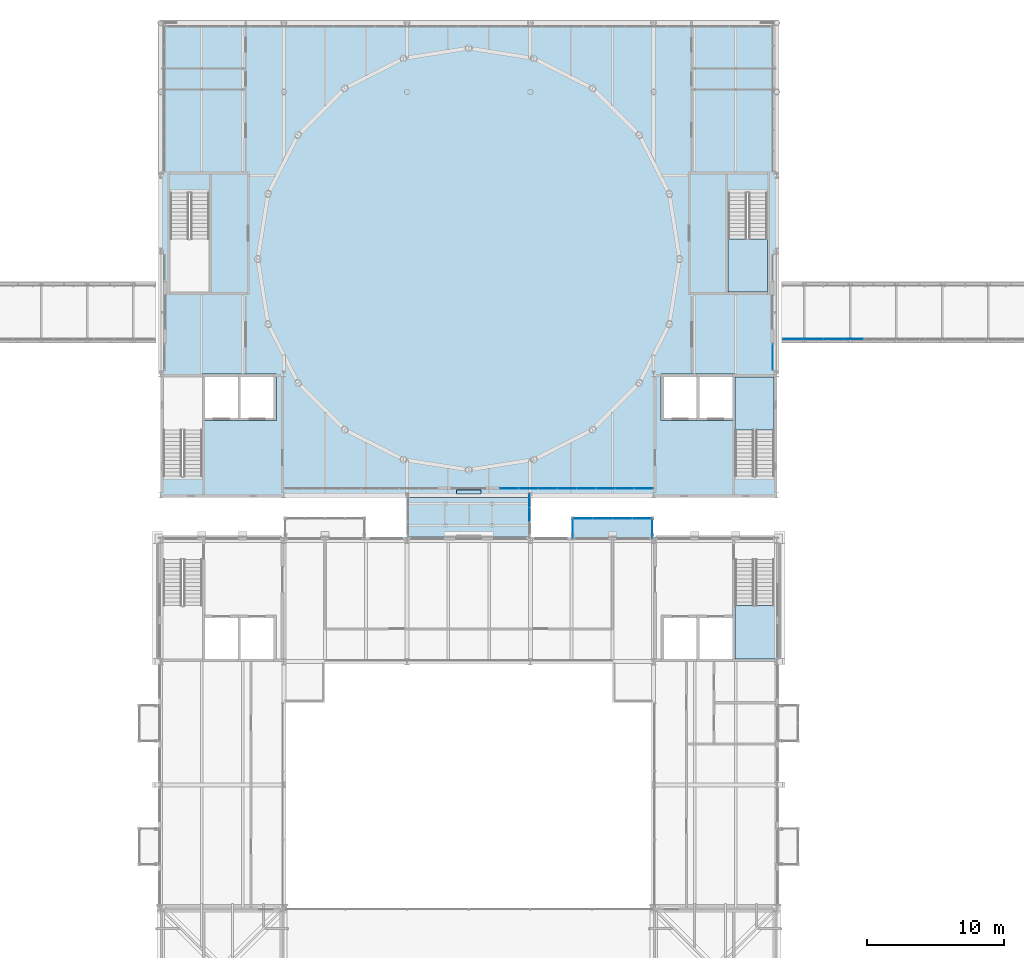
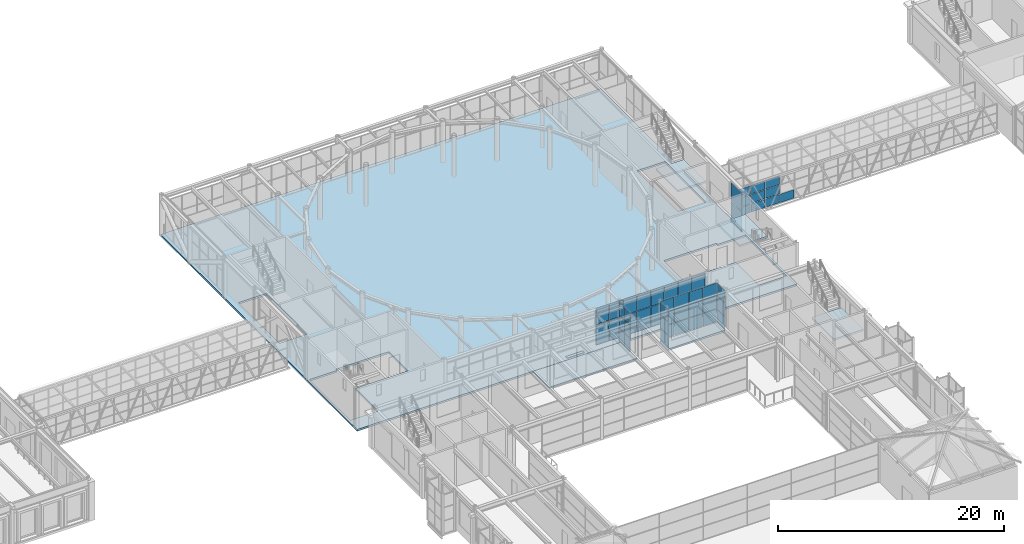
# One storey, part 82 of 149: 53 plates, 6 slabs, 10 elements without a shape of their own.
"""IFC4 building model written with IfcOpenShell, lengths in metres."""

from ifc_helpers import new_model, si_unit, direction, frame, origin, origin_2d, place, context, subcontext, project, spatial, polyline, rectangle, outline, extrude, material, layer, layer_set, type_object, element, aggregate, save


model = new_model("IFC4")

# Units and contexts
model_context = context("Model", 3, precision=1e-05, world=origin(), true_north=direction((0.0, 1.0)))
body_context = subcontext(model_context, "Body", "Model", "MODEL_VIEW")
ifc_project = project(units=[si_unit("LENGTHUNIT", "METRE"), si_unit("AREAUNIT", "SQUARE_METRE"), si_unit("VOLUMEUNIT", "CUBIC_METRE"), si_unit("PLANEANGLEUNIT", "RADIAN"), si_unit("MASSUNIT", "GRAM", prefix="KILO")], contexts=[model_context])

# Site, building, storey
site_placement = place(None, origin())
site = spatial("IfcSite", under=ifc_project, at=site_placement, CompositionType="ELEMENT")
building_placement = place(site_placement, origin())
building = spatial("IfcBuilding", under=site, at=building_placement, Name="Kallimachos Central Library", CompositionType="ELEMENT")
storey_placement = place(building_placement, frame((0.0, 0.0, 9.89990234375)))
storey = spatial("IfcBuildingStorey", under=building, at=storey_placement, Name="L02", CompositionType="ELEMENT", Elevation=9.89990234375)

# Slabs
ifc_material_1 = material(Name="Composite slab C30/37 on steel deck", Category="concrete")
ifc_layer_1 = layer(ifc_material_1, 0.14990234375)
ifc_layer_set_1 = layer_set([ifc_layer_1], Name="Composite floor slab 150")
slab_type_1 = type_object("IfcSlabType", Name="Composite floor slab 150", PredefinedType="FLOOR", material=ifc_layer_set_1)
slab_1_placement = place(storey_placement, frame((0.0, 0.0, -0.14990234375)))
element("IfcSlab", 1, at=slab_1_placement, inside=storey, type_object=slab_type_1, Name="Reading Link floor L02", PredefinedType="FLOOR", context=body_context, shape_type="SweptSolid", body=[
    extrude(outline(polyline([(92.5, 84.14990234375), (83.5, 84.14990234375), (83.5, 87.0), (92.5, 87.0), (92.5, 84.14990234375)])), origin(), (0.0, 0.0, 1.0), 0.14990234375),
])
ifc_material_2 = material(Name="Composite slab C30/37 on steel deck", Category="concrete")
ifc_layer_2 = layer(ifc_material_2, 0.199951171875)
ifc_layer_set_2 = layer_set([ifc_layer_2], Name="Composite floor slab 200")
slab_type_2 = type_object("IfcSlabType", Name="Composite floor slab 200", PredefinedType="FLOOR", material=ifc_layer_set_2)
slab_2_placement = place(storey_placement, frame((0.0, 0.0, -0.199951171875)))
element("IfcSlab", 2, at=slab_2_placement, inside=storey, type_object=slab_type_2, Name="V1-SLB-L02-001", PredefinedType="FLOOR", context=body_context, shape_type="SweptSolid", body=[
    extrude(outline(polyline([(65.5, 121.800048828125), (110.5, 121.800048828125), (110.5, 87.0), (65.5, 87.0), (65.5, 121.800048828125)]), holes=[polyline([(65.699951171875, 95.800048828125), (65.699951171875, 88.553955078125), (68.550048828125, 88.553955078125), (68.550048828125, 92.60009765625), (73.949951171875, 92.60009765625), (73.949951171875, 96.0), (68.550048828125, 96.0), (68.550048828125, 95.800048828125), (65.699951171875, 95.800048828125)]), polyline([(107.449951171875, 95.800048828125), (107.449951171875, 96.0), (102.050048828125, 96.0), (102.050048828125, 92.60009765625), (107.449951171875, 92.60009765625), (107.449951171875, 88.553955078125), (110.300048828125, 88.553955078125), (110.300048828125, 95.800048828125), (107.449951171875, 95.800048828125)]), polyline([(69.050048828125, 101.97509765625), (69.050048828125, 109.220947265625), (66.199951171875, 109.220947265625), (66.199951171875, 101.97509765625), (69.050048828125, 101.97509765625)]), polyline([(109.800048828125, 101.97509765625), (109.800048828125, 109.220947265625), (106.949951171875, 109.220947265625), (106.949951171875, 101.97509765625), (109.800048828125, 101.97509765625)])]), origin(), (0.0, 0.0, 1.0), 0.199951171875),
])

# Plate
ifc_material_3 = material(Name="Stainless steel plate", Category="steel")
ifc_layer_3 = layer(ifc_material_3, 0.011962890625)
ifc_layer_set_3 = layer_set([ifc_layer_3], Name="Joint cover plate")
plate_type_1 = type_object("IfcPlateType", Name="Joint cover plate", PredefinedType="SHEET", material=ifc_layer_set_3)
plate_1_placement = place(storey_placement, frame((88.0, 87.375, 0.0), z_axis=(0.0, 0.0, 1.0), x_axis=(1.0, 0.0, 0.0)))
element("IfcPlate", 3, at=plate_1_placement, inside=storey, type_object=plate_type_1, Name="Reading Link joint cover plate L02", PredefinedType="SHEET", context=body_context, shape_type="SweptSolid", body=[
    extrude(rectangle(XDim=1.780029296875, YDim=0.300048828125, at=origin_2d()), origin(), (0.0, 0.0, 1.0), 0.011962890625),
])

# Curtain wall, plates
ifc_material_4 = material(Name="Anodised aluminium and laminated glass", Category="aluminium")
ifc_layer_4 = layer(ifc_material_4, 0.159912109375)
ifc_layer_set_4 = layer_set([ifc_layer_4], Name="Glass box curtain wall")
curtain_wall_type_1 = type_object("IfcCurtainWallType", Name="Glass box curtain wall", PredefinedType="NOTDEFINED", material=ifc_layer_set_4)
curtain_wall_1_placement = place(storey_placement, origin())
curtain_wall_1 = element("IfcCurtainWall", 4, at=curtain_wall_1_placement, inside=storey, type_object=curtain_wall_type_1, Name="Glass box curtain wall S L02", PredefinedType="NOTDEFINED")
ifc_material_5 = material(Name="Laminated glass", Category="glass")
ifc_layer_5 = layer(ifc_material_5, 0.028076171875)
ifc_layer_set_5 = layer_set([ifc_layer_5], Name="Laminated glass panel 28")
plate_type_2 = type_object("IfcPlateType", Name="Laminated glass panel 28", PredefinedType="CURTAIN_PANEL", material=ifc_layer_set_5)
plate_2_placement = place(storey_placement, frame((90.968017578125, 87.64990234375, 0.06005859375), z_axis=(0.0, 0.0, 1.0), x_axis=(1.0, 0.0, 0.0)))
plate_2 = element("IfcPlate", 5, at=plate_2_placement, type_object=plate_type_2, Name="CW13 panel 1.1", PredefinedType="CURTAIN_PANEL", context=body_context, shape_type="SweptSolid", body=[
    extrude(rectangle(XDim=1.316162109375, YDim=0.028076171875, at=origin_2d()), origin(), (0.0, 0.0, 1.0), 2.159912109375),
])
plate_3_placement = place(storey_placement, frame((90.968017578125, 87.64990234375, 2.280029296875), z_axis=(0.0, 0.0, 1.0), x_axis=(1.0, 0.0, 0.0)))
plate_3 = element("IfcPlate", 6, at=plate_3_placement, type_object=plate_type_2, Name="CW13 panel 1.2", PredefinedType="CURTAIN_PANEL", context=body_context, shape_type="SweptSolid", body=[
    extrude(rectangle(XDim=1.316162109375, YDim=0.028076171875, at=origin_2d()), origin(), (0.0, 0.0, 1.0), 1.7099609375),
])
plate_4_placement = place(storey_placement, frame((92.359375, 87.64990234375, 0.06005859375), z_axis=(0.0, 0.0, 1.0), x_axis=(1.0, 0.0, 0.0)))
plate_4 = element("IfcPlate", 7, at=plate_4_placement, type_object=plate_type_2, Name="CW13 panel 2.1", PredefinedType="CURTAIN_PANEL", context=body_context, shape_type="SweptSolid", body=[
    extrude(rectangle(XDim=1.34619140625, YDim=0.028076171875, at=origin_2d()), origin(), (0.0, 0.0, 1.0), 2.159912109375),
])
plate_5_placement = place(storey_placement, frame((92.359375, 87.64990234375, 2.280029296875), z_axis=(0.0, 0.0, 1.0), x_axis=(1.0, 0.0, 0.0)))
plate_5 = element("IfcPlate", 8, at=plate_5_placement, type_object=plate_type_2, Name="CW13 panel 2.2", PredefinedType="CURTAIN_PANEL", context=body_context, shape_type="SweptSolid", body=[
    extrude(rectangle(XDim=1.34619140625, YDim=0.028076171875, at=origin_2d()), origin(), (0.0, 0.0, 1.0), 1.7099609375),
])
plate_6_placement = place(storey_placement, frame((93.765625, 87.64990234375, 0.06005859375), z_axis=(0.0, 0.0, 1.0), x_axis=(1.0, 0.0, 0.0)))
plate_6 = element("IfcPlate", 9, at=plate_6_placement, type_object=plate_type_2, Name="CW13 panel 3.1", PredefinedType="CURTAIN_PANEL", context=body_context, shape_type="SweptSolid", body=[
    extrude(rectangle(XDim=1.34619140625, YDim=0.028076171875, at=origin_2d()), origin(), (0.0, 0.0, 1.0), 2.159912109375),
])
plate_7_placement = place(storey_placement, frame((93.765625, 87.64990234375, 2.280029296875), z_axis=(0.0, 0.0, 1.0), x_axis=(1.0, 0.0, 0.0)))
plate_7 = element("IfcPlate", 10, at=plate_7_placement, type_object=plate_type_2, Name="CW13 panel 3.2", PredefinedType="CURTAIN_PANEL", context=body_context, shape_type="SweptSolid", body=[
    extrude(rectangle(XDim=1.34619140625, YDim=0.028076171875, at=origin_2d()), origin(), (0.0, 0.0, 1.0), 1.7099609375),
])
plate_8_placement = place(storey_placement, frame((95.171875, 87.64990234375, 0.06005859375), z_axis=(0.0, 0.0, 1.0), x_axis=(1.0, 0.0, 0.0)))
plate_8 = element("IfcPlate", 11, at=plate_8_placement, type_object=plate_type_2, Name="CW13 panel 4.1", PredefinedType="CURTAIN_PANEL", context=body_context, shape_type="SweptSolid", body=[
    extrude(rectangle(XDim=1.34619140625, YDim=0.028076171875, at=origin_2d()), origin(), (0.0, 0.0, 1.0), 2.159912109375),
])
plate_9_placement = place(storey_placement, frame((95.171875, 87.64990234375, 2.280029296875), z_axis=(0.0, 0.0, 1.0), x_axis=(1.0, 0.0, 0.0)))
plate_9 = element("IfcPlate", 12, at=plate_9_placement, type_object=plate_type_2, Name="CW13 panel 4.2", PredefinedType="CURTAIN_PANEL", context=body_context, shape_type="SweptSolid", body=[
    extrude(rectangle(XDim=1.34619140625, YDim=0.028076171875, at=origin_2d()), origin(), (0.0, 0.0, 1.0), 1.7099609375),
])
plate_10_placement = place(storey_placement, frame((96.578125, 87.64990234375, 0.06005859375), z_axis=(0.0, 0.0, 1.0), x_axis=(1.0, 0.0, 0.0)))
plate_10 = element("IfcPlate", 13, at=plate_10_placement, type_object=plate_type_2, Name="CW13 panel 5.1", PredefinedType="CURTAIN_PANEL", context=body_context, shape_type="SweptSolid", body=[
    extrude(rectangle(XDim=1.34619140625, YDim=0.028076171875, at=origin_2d()), origin(), (0.0, 0.0, 1.0), 2.159912109375),
])
plate_11_placement = place(storey_placement, frame((96.578125, 87.64990234375, 2.280029296875), z_axis=(0.0, 0.0, 1.0), x_axis=(1.0, 0.0, 0.0)))
plate_11 = element("IfcPlate", 14, at=plate_11_placement, type_object=plate_type_2, Name="CW13 panel 5.2", PredefinedType="CURTAIN_PANEL", context=body_context, shape_type="SweptSolid", body=[
    extrude(rectangle(XDim=1.34619140625, YDim=0.028076171875, at=origin_2d()), origin(), (0.0, 0.0, 1.0), 1.7099609375),
])
plate_12_placement = place(storey_placement, frame((97.984375, 87.64990234375, 0.06005859375), z_axis=(0.0, 0.0, 1.0), x_axis=(1.0, 0.0, 0.0)))
plate_12 = element("IfcPlate", 15, at=plate_12_placement, type_object=plate_type_2, Name="CW13 panel 6.1", PredefinedType="CURTAIN_PANEL", context=body_context, shape_type="SweptSolid", body=[
    extrude(rectangle(XDim=1.34619140625, YDim=0.028076171875, at=origin_2d()), origin(), (0.0, 0.0, 1.0), 2.159912109375),
])
plate_13_placement = place(storey_placement, frame((97.984375, 87.64990234375, 2.280029296875), z_axis=(0.0, 0.0, 1.0), x_axis=(1.0, 0.0, 0.0)))
plate_13 = element("IfcPlate", 16, at=plate_13_placement, type_object=plate_type_2, Name="CW13 panel 6.2", PredefinedType="CURTAIN_PANEL", context=body_context, shape_type="SweptSolid", body=[
    extrude(rectangle(XDim=1.34619140625, YDim=0.028076171875, at=origin_2d()), origin(), (0.0, 0.0, 1.0), 1.7099609375),
])
plate_14_placement = place(storey_placement, frame((99.390625, 87.64990234375, 0.06005859375), z_axis=(0.0, 0.0, 1.0), x_axis=(1.0, 0.0, 0.0)))
plate_14 = element("IfcPlate", 17, at=plate_14_placement, type_object=plate_type_2, Name="CW13 panel 7.1", PredefinedType="CURTAIN_PANEL", context=body_context, shape_type="SweptSolid", body=[
    extrude(rectangle(XDim=1.34619140625, YDim=0.028076171875, at=origin_2d()), origin(), (0.0, 0.0, 1.0), 2.159912109375),
])
plate_15_placement = place(storey_placement, frame((99.390625, 87.64990234375, 2.280029296875), z_axis=(0.0, 0.0, 1.0), x_axis=(1.0, 0.0, 0.0)))
plate_15 = element("IfcPlate", 18, at=plate_15_placement, type_object=plate_type_2, Name="CW13 panel 7.2", PredefinedType="CURTAIN_PANEL", context=body_context, shape_type="SweptSolid", body=[
    extrude(rectangle(XDim=1.34619140625, YDim=0.028076171875, at=origin_2d()), origin(), (0.0, 0.0, 1.0), 1.7099609375),
])
plate_16_placement = place(storey_placement, frame((100.781982421875, 87.64990234375, 0.06005859375), z_axis=(0.0, 0.0, 1.0), x_axis=(1.0, 0.0, 0.0)))
plate_16 = element("IfcPlate", 19, at=plate_16_placement, type_object=plate_type_2, Name="CW13 panel 8.1", PredefinedType="CURTAIN_PANEL", context=body_context, shape_type="SweptSolid", body=[
    extrude(rectangle(XDim=1.316162109375, YDim=0.028076171875, at=origin_2d()), origin(), (0.0, 0.0, 1.0), 2.159912109375),
])
plate_17_placement = place(storey_placement, frame((100.781982421875, 87.64990234375, 2.280029296875), z_axis=(0.0, 0.0, 1.0), x_axis=(1.0, 0.0, 0.0)))
plate_17 = element("IfcPlate", 20, at=plate_17_placement, type_object=plate_type_2, Name="CW13 panel 8.2", PredefinedType="CURTAIN_PANEL", context=body_context, shape_type="SweptSolid", body=[
    extrude(rectangle(XDim=1.316162109375, YDim=0.028076171875, at=origin_2d()), origin(), (0.0, 0.0, 1.0), 1.7099609375),
])
aggregate(curtain_wall_1, [plate_2, plate_3, plate_4, plate_5, plate_6, plate_7, plate_8, plate_9, plate_10, plate_11, plate_12, plate_13, plate_14, plate_15, plate_16, plate_17])

curtain_wall_2_placement = place(storey_placement, origin())
curtain_wall_2 = element("IfcCurtainWall", 21, at=curtain_wall_2_placement, inside=storey, type_object=curtain_wall_type_1, Name="Glass box curtain wall E L02", PredefinedType="NOTDEFINED")
plate_18_placement = place(storey_placement, frame((110.199951171875, 97.25, 0.06005859375), z_axis=(0.0, 0.0, 1.0), x_axis=(0.0, 1.0, 0.0)))
plate_18 = element("IfcPlate", 22, at=plate_18_placement, type_object=plate_type_2, Name="CW17 panel 1.1", PredefinedType="CURTAIN_PANEL", context=body_context, shape_type="SweptSolid", body=[
    extrude(rectangle(XDim=1.8798828125, YDim=0.028076171875, at=origin_2d()), origin(), (0.0, 0.0, 1.0), 2.159912109375),
])
plate_19_placement = place(storey_placement, frame((110.199951171875, 97.25, 2.2802734375), z_axis=(0.0, 0.0, 1.0), x_axis=(0.0, 1.0, 0.0)))
plate_19 = element("IfcPlate", 23, at=plate_19_placement, type_object=plate_type_2, Name="CW17 panel 1.2", PredefinedType="CURTAIN_PANEL", context=body_context, shape_type="SweptSolid", body=[
    extrude(rectangle(XDim=1.8798828125, YDim=0.028076171875, at=origin_2d()), origin(), (0.0, 0.0, 1.0), 2.010009765625),
])
aggregate(curtain_wall_2, [plate_18, plate_19])

ifc_material_6 = material(Name="Aluminium and laminated glass", Category="aluminium")
curtain_wall_type_2 = type_object("IfcCurtainWallType", Name="Link glazed wall", PredefinedType="NOTDEFINED", material=ifc_material_6)
curtain_wall_3_placement = place(storey_placement, origin())
curtain_wall_3 = element("IfcCurtainWall", 24, at=curtain_wall_3_placement, inside=storey, type_object=curtain_wall_type_2, Name="Reading Link glazed wall L02", PredefinedType="NOTDEFINED")
plate_20_placement = place(storey_placement, frame((92.419921875, 85.737548828125, 0.06005859375), z_axis=(0.0, 0.0, 1.0), x_axis=(0.0, 1.0, 0.0)))
plate_20 = element("IfcPlate", 25, at=plate_20_placement, type_object=plate_type_2, Name="CW67 panel 2.1", PredefinedType="CURTAIN_PANEL", context=body_context, shape_type="SweptSolid", body=[
    extrude(rectangle(XDim=0.965087890625, YDim=0.028076171875, at=origin_2d()), origin(), (0.0, 0.0, 1.0), 1.360107421875),
])
plate_21_placement = place(storey_placement, frame((92.419921875, 85.737548828125, 1.47998046875), z_axis=(0.0, 0.0, 1.0), x_axis=(0.0, 1.0, 0.0)))
plate_21 = element("IfcPlate", 26, at=plate_21_placement, type_object=plate_type_2, Name="CW67 panel 2.2", PredefinedType="CURTAIN_PANEL", context=body_context, shape_type="SweptSolid", body=[
    extrude(rectangle(XDim=0.965087890625, YDim=0.028076171875, at=origin_2d()), origin(), (0.0, 0.0, 1.0), 1.389892578125),
])
plate_22_placement = place(storey_placement, frame((92.419921875, 85.737548828125, 2.93017578125), z_axis=(0.0, 0.0, 1.0), x_axis=(0.0, 1.0, 0.0)))
plate_22 = element("IfcPlate", 27, at=plate_22_placement, type_object=plate_type_2, Name="CW67 panel 2.3", PredefinedType="CURTAIN_PANEL", context=body_context, shape_type="SweptSolid", body=[
    extrude(rectangle(XDim=0.965087890625, YDim=0.028076171875, at=origin_2d()), origin(), (0.0, 0.0, 1.0), 1.360107421875),
])
plate_23_placement = place(storey_placement, frame((92.419921875, 86.74755859375, 0.06005859375), z_axis=(0.0, 0.0, 1.0), x_axis=(0.0, 1.0, 0.0)))
plate_23 = element("IfcPlate", 28, at=plate_23_placement, type_object=plate_type_2, Name="CW67 panel 3.1", PredefinedType="CURTAIN_PANEL", context=body_context, shape_type="SweptSolid", body=[
    extrude(rectangle(XDim=0.93505859375, YDim=0.028076171875, at=origin_2d()), origin(), (0.0, 0.0, 1.0), 1.360107421875),
])
plate_24_placement = place(storey_placement, frame((92.419921875, 86.74755859375, 1.47998046875), z_axis=(0.0, 0.0, 1.0), x_axis=(0.0, 1.0, 0.0)))
plate_24 = element("IfcPlate", 29, at=plate_24_placement, type_object=plate_type_2, Name="CW67 panel 3.2", PredefinedType="CURTAIN_PANEL", context=body_context, shape_type="SweptSolid", body=[
    extrude(rectangle(XDim=0.93505859375, YDim=0.028076171875, at=origin_2d()), origin(), (0.0, 0.0, 1.0), 1.389892578125),
])
plate_25_placement = place(storey_placement, frame((92.419921875, 86.74755859375, 2.93017578125), z_axis=(0.0, 0.0, 1.0), x_axis=(0.0, 1.0, 0.0)))
plate_25 = element("IfcPlate", 30, at=plate_25_placement, type_object=plate_type_2, Name="CW67 panel 3.3", PredefinedType="CURTAIN_PANEL", context=body_context, shape_type="SweptSolid", body=[
    extrude(rectangle(XDim=0.93505859375, YDim=0.028076171875, at=origin_2d()), origin(), (0.0, 0.0, 1.0), 1.360107421875),
])
aggregate(curtain_wall_3, [plate_20, plate_21, plate_22, plate_23, plate_24, plate_25])

curtain_wall_4_placement = place(storey_placement, origin())
curtain_wall_4 = element("IfcCurtainWall", 31, at=curtain_wall_4_placement, inside=storey, type_object=curtain_wall_type_2, Name="V1 to V3 bridge glazed side", PredefinedType="NOTDEFINED")
plate_26_placement = place(storey_placement, frame((111.680908203125, 98.550048828125, 0.06005859375), z_axis=(0.0, 0.0, 1.0), x_axis=(1.0, 0.0, 0.0)))
plate_26 = element("IfcPlate", 32, at=plate_26_placement, type_object=plate_type_2, Name="CW74 panel 1.1", PredefinedType="CURTAIN_PANEL", context=body_context, shape_type="SweptSolid", body=[
    extrude(rectangle(XDim=1.391845703125, YDim=0.028076171875, at=origin_2d()), origin(), (0.0, 0.0, 1.0), 0.909912109375),
])
plate_27_placement = place(storey_placement, frame((111.680908203125, 98.550048828125, 1.030029296875), z_axis=(0.0, 0.0, 1.0), x_axis=(1.0, 0.0, 0.0)))
plate_27 = element("IfcPlate", 33, at=plate_27_placement, type_object=plate_type_2, Name="CW74 panel 1.2", PredefinedType="CURTAIN_PANEL", context=body_context, shape_type="SweptSolid", body=[
    extrude(rectangle(XDim=1.391845703125, YDim=0.028076171875, at=origin_2d()), origin(), (0.0, 0.0, 1.0), 0.93994140625),
])
plate_28_placement = place(storey_placement, frame((111.680908203125, 98.550048828125, 2.0302734375), z_axis=(0.0, 0.0, 1.0), x_axis=(1.0, 0.0, 0.0)))
plate_28 = element("IfcPlate", 34, at=plate_28_placement, type_object=plate_type_2, Name="CW74 panel 1.3", PredefinedType="CURTAIN_PANEL", context=body_context, shape_type="SweptSolid", body=[
    extrude(rectangle(XDim=1.391845703125, YDim=0.028076171875, at=origin_2d()), origin(), (0.0, 0.0, 1.0), 0.909912109375),
])
plate_29_placement = place(storey_placement, frame((113.14794921875, 98.550048828125, 0.06005859375), z_axis=(0.0, 0.0, 1.0), x_axis=(1.0, 0.0, 0.0)))
plate_29 = element("IfcPlate", 35, at=plate_29_placement, type_object=plate_type_2, Name="CW74 panel 2.1", PredefinedType="CURTAIN_PANEL", context=body_context, shape_type="SweptSolid", body=[
    extrude(rectangle(XDim=1.421875, YDim=0.028076171875, at=origin_2d()), origin(), (0.0, 0.0, 1.0), 0.909912109375),
])
plate_30_placement = place(storey_placement, frame((113.14794921875, 98.550048828125, 1.030029296875), z_axis=(0.0, 0.0, 1.0), x_axis=(1.0, 0.0, 0.0)))
plate_30 = element("IfcPlate", 36, at=plate_30_placement, type_object=plate_type_2, Name="CW74 panel 2.2", PredefinedType="CURTAIN_PANEL", context=body_context, shape_type="SweptSolid", body=[
    extrude(rectangle(XDim=1.421875, YDim=0.028076171875, at=origin_2d()), origin(), (0.0, 0.0, 1.0), 0.93994140625),
])
plate_31_placement = place(storey_placement, frame((113.14794921875, 98.550048828125, 2.0302734375), z_axis=(0.0, 0.0, 1.0), x_axis=(1.0, 0.0, 0.0)))
plate_31 = element("IfcPlate", 37, at=plate_31_placement, type_object=plate_type_2, Name="CW74 panel 2.3", PredefinedType="CURTAIN_PANEL", context=body_context, shape_type="SweptSolid", body=[
    extrude(rectangle(XDim=1.421875, YDim=0.028076171875, at=origin_2d()), origin(), (0.0, 0.0, 1.0), 0.909912109375),
])
plate_32_placement = place(storey_placement, frame((114.6298828125, 98.550048828125, 0.06005859375), z_axis=(0.0, 0.0, 1.0), x_axis=(1.0, 0.0, 0.0)))
plate_32 = element("IfcPlate", 38, at=plate_32_placement, type_object=plate_type_2, Name="CW74 panel 3.1", PredefinedType="CURTAIN_PANEL", context=body_context, shape_type="SweptSolid", body=[
    extrude(rectangle(XDim=1.421875, YDim=0.028076171875, at=origin_2d()), origin(), (0.0, 0.0, 1.0), 0.909912109375),
])
plate_33_placement = place(storey_placement, frame((114.6298828125, 98.550048828125, 1.030029296875), z_axis=(0.0, 0.0, 1.0), x_axis=(1.0, 0.0, 0.0)))
plate_33 = element("IfcPlate", 39, at=plate_33_placement, type_object=plate_type_2, Name="CW74 panel 3.2", PredefinedType="CURTAIN_PANEL", context=body_context, shape_type="SweptSolid", body=[
    extrude(rectangle(XDim=1.421875, YDim=0.028076171875, at=origin_2d()), origin(), (0.0, 0.0, 1.0), 0.93994140625),
])
plate_34_placement = place(storey_placement, frame((114.6298828125, 98.550048828125, 2.0302734375), z_axis=(0.0, 0.0, 1.0), x_axis=(1.0, 0.0, 0.0)))
plate_34 = element("IfcPlate", 40, at=plate_34_placement, type_object=plate_type_2, Name="CW74 panel 3.3", PredefinedType="CURTAIN_PANEL", context=body_context, shape_type="SweptSolid", body=[
    extrude(rectangle(XDim=1.421875, YDim=0.028076171875, at=origin_2d()), origin(), (0.0, 0.0, 1.0), 0.909912109375),
])
plate_35_placement = place(storey_placement, frame((116.11181640625, 98.550048828125, 0.06005859375), z_axis=(0.0, 0.0, 1.0), x_axis=(1.0, 0.0, 0.0)))
plate_35 = element("IfcPlate", 41, at=plate_35_placement, type_object=plate_type_2, Name="CW74 panel 4.1", PredefinedType="CURTAIN_PANEL", context=body_context, shape_type="SweptSolid", body=[
    extrude(rectangle(XDim=1.421875, YDim=0.028076171875, at=origin_2d()), origin(), (0.0, 0.0, 1.0), 0.909912109375),
])
aggregate(curtain_wall_4, [plate_26, plate_27, plate_28, plate_29, plate_30, plate_31, plate_32, plate_33, plate_34, plate_35])

# Stair, slab
ifc_material_7 = material(Name="Concrete C30/37", Category="concrete")
stair_type_1 = type_object("IfcStairType", Name="Escape stair", PredefinedType="HALF_TURN_STAIR", material=ifc_material_7)
stair_1_placement = place(storey_placement, origin())
stair_1 = element("IfcStair", 42, at=stair_1_placement, inside=storey, type_object=stair_type_1, Name="L02 stair ST10", PredefinedType="HALF_TURN_STAIR")
ifc_material_8 = material(Name="Concrete C30/37", Category="concrete")
ifc_layer_6 = layer(ifc_material_8, 0.199951171875)
ifc_layer_set_6 = layer_set([ifc_layer_6], Name="Stair landing")
slab_type_3 = type_object("IfcSlabType", Name="Stair landing", PredefinedType="LANDING", material=ifc_layer_set_6)
slab_3_placement = place(storey_placement, frame((0.0, 0.0, 2.050048828125)))
slab_3 = element("IfcSlab", 43, at=slab_3_placement, type_object=slab_type_3, Name="ST10 landing 1", PredefinedType="LANDING", context=body_context, shape_type="SweptSolid", body=[
    extrude(outline(polyline([(107.449951171875, 75.199951171875), (110.45361328125, 75.199951171875), (110.45361328125, 79.090087890625), (107.449951171875, 79.090087890625), (107.449951171875, 75.199951171875)])), origin(), (0.0, 0.0, 1.0), 0.199951171875),
])
aggregate(stair_1, [slab_3])

ifc_material_9 = material(Name="Steel S355J2", Category="steel")
stair_type_2 = type_object("IfcStairType", Name="Steel half-turn stair 1350", PredefinedType="HALF_TURN_STAIR", material=ifc_material_9)
stair_2_placement = place(storey_placement, origin())
stair_2 = element("IfcStair", 44, at=stair_2_placement, inside=storey, type_object=stair_type_2, Name="L02 stair ST2", PredefinedType="HALF_TURN_STAIR")
ifc_material_10 = material(Name="Concrete C30/37", Category="concrete")
ifc_layer_7 = layer(ifc_material_10, 0.199951171875)
ifc_layer_set_7 = layer_set([ifc_layer_7], Name="Stair landing slab 200")
slab_type_4 = type_object("IfcSlabType", Name="Stair landing slab 200", PredefinedType="LANDING", material=ifc_layer_set_7)
slab_4_placement = place(storey_placement, frame((0.0, 0.0, 2.050048828125)))
slab_4 = element("IfcSlab", 45, at=slab_4_placement, type_object=slab_type_4, Name="ST2 landing 1", PredefinedType="LANDING", context=body_context, shape_type="SweptSolid", body=[
    extrude(outline(polyline([(110.300048828125, 91.909912109375), (110.300048828125, 95.800048828125), (107.449951171875, 95.800048828125), (107.449951171875, 91.909912109375), (110.300048828125, 91.909912109375)])), origin(), (0.0, 0.0, 1.0), 0.199951171875),
])
aggregate(stair_2, [slab_4])

stair_3_placement = place(storey_placement, origin())
stair_3 = element("IfcStair", 46, at=stair_3_placement, inside=storey, type_object=stair_type_2, Name="L02 stair ST4", PredefinedType="HALF_TURN_STAIR")
slab_5_placement = place(storey_placement, frame((0.0, 0.0, 2.050048828125)))
slab_5 = element("IfcSlab", 47, at=slab_5_placement, type_object=slab_type_4, Name="ST4 landing 1", PredefinedType="LANDING", context=body_context, shape_type="SweptSolid", body=[
    extrude(outline(polyline([(106.949951171875, 105.864990234375), (106.949951171875, 101.97509765625), (109.800048828125, 101.97509765625), (109.800048828125, 105.864990234375), (106.949951171875, 105.864990234375)])), origin(), (0.0, 0.0, 1.0), 0.199951171875),
])
aggregate(stair_3, [slab_5])

# Slab
ifc_material_11 = material(Name="Composite slab C30/37 on steel deck", Category="concrete")
ifc_layer_8 = layer(ifc_material_11, 0.199951171875)
ifc_layer_set_8 = layer_set([ifc_layer_8], Name="Tribune bay floor slab 200")
slab_type_5 = type_object("IfcSlabType", Name="Tribune bay floor slab 200", PredefinedType="FLOOR", material=ifc_layer_set_8)
slab_6_placement = place(storey_placement, frame((0.0, 0.0, -0.199951171875)))
element("IfcSlab", 48, at=slab_6_placement, inside=storey, type_object=slab_type_5, Name="Tribune bay N2 floor L02", PredefinedType="FLOOR", context=body_context, shape_type="SweptSolid", body=[
    extrude(outline(polyline([(95.60009765625, 85.466064453125), (101.39990234375, 85.466064453125), (101.39990234375, 84.0), (95.60009765625, 84.0), (95.60009765625, 85.466064453125)])), origin(), (0.0, 0.0, 1.0), 0.199951171875),
])

# Curtain wall, plates
ifc_material_12 = material(Name="Aluminium and laminated glass", Category="aluminium")
curtain_wall_type_3 = type_object("IfcCurtainWallType", Name="Tribune bay glazed screen", PredefinedType="NOTDEFINED", material=ifc_material_12)
curtain_wall_5_placement = place(storey_placement, origin())
curtain_wall_5 = element("IfcCurtainWall", 49, at=curtain_wall_5_placement, inside=storey, type_object=curtain_wall_type_3, Name="Tribune bay N2 L02 front", PredefinedType="NOTDEFINED")
ifc_material_13 = material(Name="Laminated glass", Category="glass")
ifc_layer_9 = layer(ifc_material_13, 0.028076171875)
ifc_layer_set_9 = layer_set([ifc_layer_9], Name="Tribune bay glass panel")
plate_type_3 = type_object("IfcPlateType", Name="Tribune bay glass panel", PredefinedType="CURTAIN_PANEL", material=ifc_layer_set_9)
plate_36_placement = place(storey_placement, frame((96.340087890625, 85.466064453125, 0.06005859375), z_axis=(0.0, 0.0, 1.0), x_axis=(1.0, 0.0, 0.0)))
plate_36 = element("IfcPlate", 50, at=plate_36_placement, type_object=plate_type_3, Name="CW panel 1.1", PredefinedType="CURTAIN_PANEL", context=body_context, shape_type="SweptSolid", body=[
    extrude(rectangle(XDim=1.360107421875, YDim=0.028076171875, at=origin_2d()), origin(), (0.0, 0.0, 1.0), 1.34326171875),
])
plate_37_placement = place(storey_placement, frame((96.340087890625, 85.466064453125, 1.46337890625), z_axis=(0.0, 0.0, 1.0), x_axis=(1.0, 0.0, 0.0)))
plate_37 = element("IfcPlate", 51, at=plate_37_placement, type_object=plate_type_3, Name="CW panel 1.2", PredefinedType="CURTAIN_PANEL", context=body_context, shape_type="SweptSolid", body=[
    extrude(rectangle(XDim=1.360107421875, YDim=0.028076171875, at=origin_2d()), origin(), (0.0, 0.0, 1.0), 1.373291015625),
])
plate_38_placement = place(storey_placement, frame((96.340087890625, 85.466064453125, 2.896728515625), z_axis=(0.0, 0.0, 1.0), x_axis=(1.0, 0.0, 0.0)))
plate_38 = element("IfcPlate", 52, at=plate_38_placement, type_object=plate_type_3, Name="CW panel 1.3", PredefinedType="CURTAIN_PANEL", context=body_context, shape_type="SweptSolid", body=[
    extrude(rectangle(XDim=1.360107421875, YDim=0.028076171875, at=origin_2d()), origin(), (0.0, 0.0, 1.0), 1.34326171875),
])
plate_39_placement = place(storey_placement, frame((97.77490234375, 85.466064453125, 0.06005859375), z_axis=(0.0, 0.0, 1.0), x_axis=(1.0, 0.0, 0.0)))
plate_39 = element("IfcPlate", 53, at=plate_39_placement, type_object=plate_type_3, Name="CW panel 2.1", PredefinedType="CURTAIN_PANEL", context=body_context, shape_type="SweptSolid", body=[
    extrude(rectangle(XDim=1.389892578125, YDim=0.028076171875, at=origin_2d()), origin(), (0.0, 0.0, 1.0), 1.34326171875),
])
plate_40_placement = place(storey_placement, frame((97.77490234375, 85.466064453125, 1.46337890625), z_axis=(0.0, 0.0, 1.0), x_axis=(1.0, 0.0, 0.0)))
plate_40 = element("IfcPlate", 54, at=plate_40_placement, type_object=plate_type_3, Name="CW panel 2.2", PredefinedType="CURTAIN_PANEL", context=body_context, shape_type="SweptSolid", body=[
    extrude(rectangle(XDim=1.389892578125, YDim=0.028076171875, at=origin_2d()), origin(), (0.0, 0.0, 1.0), 1.373291015625),
])
plate_41_placement = place(storey_placement, frame((97.77490234375, 85.466064453125, 2.896728515625), z_axis=(0.0, 0.0, 1.0), x_axis=(1.0, 0.0, 0.0)))
plate_41 = element("IfcPlate", 55, at=plate_41_placement, type_object=plate_type_3, Name="CW panel 2.3", PredefinedType="CURTAIN_PANEL", context=body_context, shape_type="SweptSolid", body=[
    extrude(rectangle(XDim=1.389892578125, YDim=0.028076171875, at=origin_2d()), origin(), (0.0, 0.0, 1.0), 1.34326171875),
])
plate_42_placement = place(storey_placement, frame((99.22509765625, 85.466064453125, 0.06005859375), z_axis=(0.0, 0.0, 1.0), x_axis=(1.0, 0.0, 0.0)))
plate_42 = element("IfcPlate", 56, at=plate_42_placement, type_object=plate_type_3, Name="CW panel 3.1", PredefinedType="CURTAIN_PANEL", context=body_context, shape_type="SweptSolid", body=[
    extrude(rectangle(XDim=1.389892578125, YDim=0.028076171875, at=origin_2d()), origin(), (0.0, 0.0, 1.0), 1.34326171875),
])
plate_43_placement = place(storey_placement, frame((99.22509765625, 85.466064453125, 1.46337890625), z_axis=(0.0, 0.0, 1.0), x_axis=(1.0, 0.0, 0.0)))
plate_43 = element("IfcPlate", 57, at=plate_43_placement, type_object=plate_type_3, Name="CW panel 3.2", PredefinedType="CURTAIN_PANEL", context=body_context, shape_type="SweptSolid", body=[
    extrude(rectangle(XDim=1.389892578125, YDim=0.028076171875, at=origin_2d()), origin(), (0.0, 0.0, 1.0), 1.373291015625),
])
plate_44_placement = place(storey_placement, frame((99.22509765625, 85.466064453125, 2.896728515625), z_axis=(0.0, 0.0, 1.0), x_axis=(1.0, 0.0, 0.0)))
plate_44 = element("IfcPlate", 58, at=plate_44_placement, type_object=plate_type_3, Name="CW panel 3.3", PredefinedType="CURTAIN_PANEL", context=body_context, shape_type="SweptSolid", body=[
    extrude(rectangle(XDim=1.389892578125, YDim=0.028076171875, at=origin_2d()), origin(), (0.0, 0.0, 1.0), 1.34326171875),
])
plate_45_placement = place(storey_placement, frame((100.659912109375, 85.466064453125, 0.06005859375), z_axis=(0.0, 0.0, 1.0), x_axis=(1.0, 0.0, 0.0)))
plate_45 = element("IfcPlate", 59, at=plate_45_placement, type_object=plate_type_3, Name="CW panel 4.1", PredefinedType="CURTAIN_PANEL", context=body_context, shape_type="SweptSolid", body=[
    extrude(rectangle(XDim=1.360107421875, YDim=0.028076171875, at=origin_2d()), origin(), (0.0, 0.0, 1.0), 1.34326171875),
])
plate_46_placement = place(storey_placement, frame((100.659912109375, 85.466064453125, 1.46337890625), z_axis=(0.0, 0.0, 1.0), x_axis=(1.0, 0.0, 0.0)))
plate_46 = element("IfcPlate", 60, at=plate_46_placement, type_object=plate_type_3, Name="CW panel 4.2", PredefinedType="CURTAIN_PANEL", context=body_context, shape_type="SweptSolid", body=[
    extrude(rectangle(XDim=1.360107421875, YDim=0.028076171875, at=origin_2d()), origin(), (0.0, 0.0, 1.0), 1.373291015625),
])
plate_47_placement = place(storey_placement, frame((100.659912109375, 85.466064453125, 2.896728515625), z_axis=(0.0, 0.0, 1.0), x_axis=(1.0, 0.0, 0.0)))
plate_47 = element("IfcPlate", 61, at=plate_47_placement, type_object=plate_type_3, Name="CW panel 4.3", PredefinedType="CURTAIN_PANEL", context=body_context, shape_type="SweptSolid", body=[
    extrude(rectangle(XDim=1.360107421875, YDim=0.028076171875, at=origin_2d()), origin(), (0.0, 0.0, 1.0), 1.34326171875),
])
aggregate(curtain_wall_5, [plate_36, plate_37, plate_38, plate_39, plate_40, plate_41, plate_42, plate_43, plate_44, plate_45, plate_46, plate_47])

curtain_wall_6_placement = place(storey_placement, origin())
curtain_wall_6 = element("IfcCurtainWall", 62, at=curtain_wall_6_placement, inside=storey, type_object=curtain_wall_type_3, Name="Tribune bay N2 L02 return 1", PredefinedType="NOTDEFINED")
plate_48_placement = place(storey_placement, frame((95.60009765625, 84.716064453125, 0.06005859375), z_axis=(0.0, 0.0, 1.0), x_axis=(0.0, 1.0, 0.0)))
plate_48 = element("IfcPlate", 63, at=plate_48_placement, type_object=plate_type_3, Name="CW panel 1.1", PredefinedType="CURTAIN_PANEL", context=body_context, shape_type="SweptSolid", body=[
    extrude(rectangle(XDim=1.3798828125, YDim=0.028076171875, at=origin_2d()), origin(), (0.0, 0.0, 1.0), 1.34326171875),
])
plate_49_placement = place(storey_placement, frame((95.60009765625, 84.716064453125, 1.46337890625), z_axis=(0.0, 0.0, 1.0), x_axis=(0.0, 1.0, 0.0)))
plate_49 = element("IfcPlate", 64, at=plate_49_placement, type_object=plate_type_3, Name="CW panel 1.2", PredefinedType="CURTAIN_PANEL", context=body_context, shape_type="SweptSolid", body=[
    extrude(rectangle(XDim=1.3798828125, YDim=0.028076171875, at=origin_2d()), origin(), (0.0, 0.0, 1.0), 1.373291015625),
])
plate_50_placement = place(storey_placement, frame((95.60009765625, 84.716064453125, 2.896728515625), z_axis=(0.0, 0.0, 1.0), x_axis=(0.0, 1.0, 0.0)))
plate_50 = element("IfcPlate", 65, at=plate_50_placement, type_object=plate_type_3, Name="CW panel 1.3", PredefinedType="CURTAIN_PANEL", context=body_context, shape_type="SweptSolid", body=[
    extrude(rectangle(XDim=1.3798828125, YDim=0.028076171875, at=origin_2d()), origin(), (0.0, 0.0, 1.0), 1.34326171875),
])
aggregate(curtain_wall_6, [plate_48, plate_49, plate_50])

curtain_wall_7_placement = place(storey_placement, origin())
curtain_wall_7 = element("IfcCurtainWall", 66, at=curtain_wall_7_placement, inside=storey, type_object=curtain_wall_type_3, Name="Tribune bay N2 L02 return 2", PredefinedType="NOTDEFINED")
plate_51_placement = place(storey_placement, frame((101.39990234375, 84.716064453125, 0.06005859375), z_axis=(0.0, 0.0, 1.0), x_axis=(0.0, 1.0, 0.0)))
plate_51 = element("IfcPlate", 67, at=plate_51_placement, type_object=plate_type_3, Name="CW panel 1.1", PredefinedType="CURTAIN_PANEL", context=body_context, shape_type="SweptSolid", body=[
    extrude(rectangle(XDim=1.3798828125, YDim=0.028076171875, at=origin_2d()), origin(), (0.0, 0.0, 1.0), 1.34326171875),
])
plate_52_placement = place(storey_placement, frame((101.39990234375, 84.716064453125, 1.46337890625), z_axis=(0.0, 0.0, 1.0), x_axis=(0.0, 1.0, 0.0)))
plate_52 = element("IfcPlate", 68, at=plate_52_placement, type_object=plate_type_3, Name="CW panel 1.2", PredefinedType="CURTAIN_PANEL", context=body_context, shape_type="SweptSolid", body=[
    extrude(rectangle(XDim=1.3798828125, YDim=0.028076171875, at=origin_2d()), origin(), (0.0, 0.0, 1.0), 1.373291015625),
])
plate_53_placement = place(storey_placement, frame((101.39990234375, 84.716064453125, 2.896728515625), z_axis=(0.0, 0.0, 1.0), x_axis=(0.0, 1.0, 0.0)))
plate_53 = element("IfcPlate", 69, at=plate_53_placement, type_object=plate_type_3, Name="CW panel 1.3", PredefinedType="CURTAIN_PANEL", context=body_context, shape_type="SweptSolid", body=[
    extrude(rectangle(XDim=1.3798828125, YDim=0.028076171875, at=origin_2d()), origin(), (0.0, 0.0, 1.0), 1.34326171875),
])
aggregate(curtain_wall_7, [plate_51, plate_52, plate_53])

save(model, "model.ifc")
